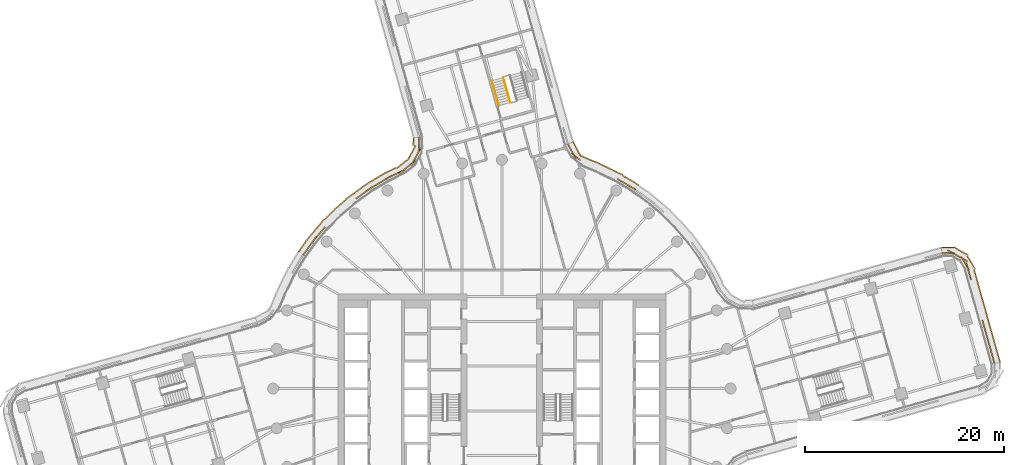
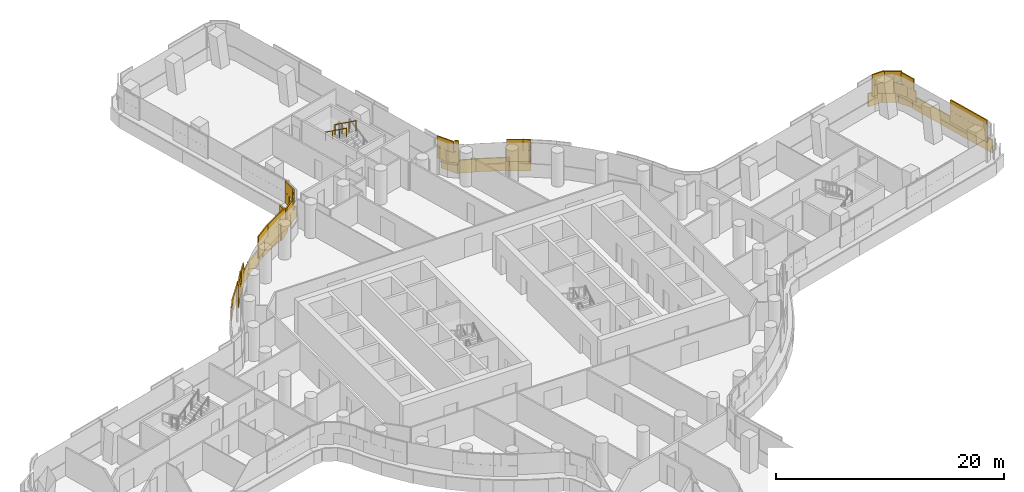
# One storey, part 29 of 30: 3 coverings, 2 railings.
"""IFC4 building model written with IfcOpenShell, lengths in metres."""

from ifc_helpers import new_model, si_unit, direction, frame, origin, origin_2d, place, context, subcontext, project, spatial, rectangle, circle, extrude, material, layer, layer_set, type_object, element, save


model = new_model("IFC4")

# Units and contexts
model_context = context("Model", 3, precision=1e-05, world=origin(), true_north=direction((0.0, 1.0)))
body_context = subcontext(model_context, "Body", "Model", "MODEL_VIEW")
ifc_project = project(units=[si_unit("LENGTHUNIT", "METRE"), si_unit("AREAUNIT", "SQUARE_METRE"), si_unit("VOLUMEUNIT", "CUBIC_METRE"), si_unit("PLANEANGLEUNIT", "RADIAN"), si_unit("MASSUNIT", "GRAM", prefix="KILO")], contexts=[model_context])

# Site, building, storey
site_placement = place(None, origin())
site = spatial("IfcSite", under=ifc_project, at=site_placement, CompositionType="ELEMENT")
building_placement = place(site_placement, origin())
building = spatial("IfcBuilding", under=site, at=building_placement, Name="Tamarind Cross Interchange Tower", CompositionType="ELEMENT")
storey_placement = place(building_placement, frame((0.0, 0.0, 91.0)))
storey = spatial("IfcBuildingStorey", under=building, at=storey_placement, Name="L21", CompositionType="ELEMENT", Elevation=91.0)

# Railings
ifc_material_1 = material(Name="Stair guard")
railing_type_1 = type_object("IfcRailingType", Name="Stair guard", PredefinedType="GUARDRAIL", material=ifc_material_1)
railing_1_placement = place(storey_placement, frame((0.147216796875, 31.284912109375, 2.04541015625)))
element("IfcRailing", 1, at=railing_1_placement, inside=storey, type_object=railing_type_1, Name="L21 ST4 stair guard 3", PredefinedType="GUARDRAIL", context=body_context, shape_type="SweptSolid", body=[
    extrude(circle(Radius=0.02392578125, at=origin_2d()), frame((0.0, 0.0, 1.076171875), z_axis=(0.225934267712, -0.805180412531, 0.548304851291), x_axis=(0.962813677155, 0.270166287835, 0.0)), (0.0, 0.0, 1.0), 3.10888671875),
    extrude(circle(Radius=0.02099609375, at=origin_2d()), origin(), (0.0, 0.0, 1.0), 1.052001953125),
    extrude(circle(Radius=0.02099609375, at=origin_2d()), frame((0.234130859375, -0.83447265625, 0.568115234375)), (0.0, 0.0, 1.0), 1.052001953125),
    extrude(circle(Radius=0.02099609375, at=origin_2d()), frame((0.46826171875, -1.668701171875, 1.136474609375)), (0.0, 0.0, 1.0), 1.052001953125),
    extrude(circle(Radius=0.02099609375, at=origin_2d()), frame((0.702392578125, -2.503173828125, 1.70458984375)), (0.0, 0.0, 1.0), 1.052001953125),
])
ifc_material_2 = material(Name="Stair handrail")
railing_type_2 = type_object("IfcRailingType", Name="Stair handrail", PredefinedType="HANDRAIL", material=ifc_material_2)
railing_2_placement = place(storey_placement, frame((-1.008056640625, 30.9609375, 2.04541015625)))
element("IfcRailing", 2, at=railing_2_placement, inside=storey, type_object=railing_type_2, Name="L21 ST4 stair handrail 2", PredefinedType="HANDRAIL", context=body_context, shape_type="SweptSolid", body=[
    extrude(circle(Radius=0.02392578125, at=origin_2d()), frame((0.0, 0.0, 0.8759765625), z_axis=(0.225919982143, -0.805208028118, 0.548270182594), x_axis=(0.962820530376, 0.270141863262, 0.0)), (0.0, 0.0, 1.0), 3.109130859375),
    extrude(circle(Radius=0.02099609375, at=origin_2d()), origin(), (0.0, 0.0, 1.0), 0.851806640625),
    extrude(circle(Radius=0.02099609375, at=origin_2d()), frame((0.234130859375, -0.83447265625, 0.568115234375)), (0.0, 0.0, 1.0), 0.851806640625),
    extrude(circle(Radius=0.02099609375, at=origin_2d()), frame((0.46826171875, -1.6689453125, 1.136474609375)), (0.0, 0.0, 1.0), 0.851806640625),
    extrude(circle(Radius=0.02099609375, at=origin_2d()), frame((0.702392578125, -2.50341796875, 1.70458984375)), (0.0, 0.0, 1.0), 0.851806640625),
])

# Coverings
ifc_material_3 = material(Name="Terracotta", Category="masonry")
ifc_layer = layer(ifc_material_3, 0.1201171875)
ifc_layer_set = layer_set([ifc_layer], Name="Terracotta")
covering_type = type_object("IfcCoveringType", Name="Terracotta baguette screen unit", PredefinedType="MOLDING", material=ifc_layer_set)
covering_1_placement = place(storey_placement, origin())
element("IfcCovering", 3, at=covering_1_placement, inside=storey, type_object=covering_type, Name="SCR-L21-04-00", PredefinedType="MOLDING", context=body_context, shape_type="SweptSolid", body=[
    extrude(rectangle(XDim=0.760009765625, YDim=0.1201171875, at=origin_2d()), frame((49.44482421875, 2.884033203125, 1.404052734375), z_axis=(0.0, 0.0, 1.0), x_axis=(-0.270129953744, 0.962823871791, 0.0)), (0.0, 0.0, 1.0), 1.1669921875),
    extrude(rectangle(XDim=1.52001953125, YDim=0.1201171875, at=origin_2d()), frame((49.140869140625, 3.96728515625, 1.404052734375), z_axis=(0.0, 0.0, 1.0), x_axis=(-0.270129953744, 0.962823871791, 0.0)), (0.0, 0.0, 1.0), 1.1669921875),
    extrude(rectangle(XDim=1.52001953125, YDim=0.1201171875, at=origin_2d()), frame((48.73583984375, 5.411376953125, 1.404052734375), z_axis=(0.0, 0.0, 1.0), x_axis=(-0.270129953744, 0.962823871791, 0.0)), (0.0, 0.0, 1.0), 1.1669921875),
    extrude(rectangle(XDim=0.784912109375, YDim=0.1201171875, at=origin_2d()), frame((48.428466796875, 6.506591796875, 1.404052734375), z_axis=(0.0, 0.0, 1.0), x_axis=(-0.270129953744, 0.962823871791, 0.0)), (0.0, 0.0, 1.0), 1.1669921875),
    extrude(rectangle(XDim=1.03515625, YDim=0.1201171875, at=origin_2d()), frame((47.05078125, 11.4169921875, 1.404052734375), z_axis=(0.0, 0.0, 1.0), x_axis=(-0.270129953744, 0.962823871791, 0.0)), (0.0, 0.0, 1.0), 1.1669921875),
    extrude(rectangle(XDim=1.52001953125, YDim=0.1201171875, at=origin_2d()), frame((46.595458984375, 12.583740234375, 1.404052734375), z_axis=(0.0, 0.0, 1.0), x_axis=(-0.510122653874, 0.860101667249, 0.0)), (0.0, 0.0, 1.0), 1.1669921875),
    extrude(rectangle(XDim=1.52001953125, YDim=0.1201171875, at=origin_2d()), frame((45.5029296875, 13.538818359375, 1.404052734375), z_axis=(0.0, 0.0, 1.0), x_axis=(-0.871830010925, 0.489808566738, 0.0)), (0.0, 0.0, 1.0), 1.1669921875),
    extrude(rectangle(XDim=0.509521484375, YDim=0.1201171875, at=origin_2d()), frame((44.526123046875, 13.616455078125, 1.404052734375), z_axis=(0.0, 0.0, 1.0), x_axis=(-0.999931220612, -0.011728343677, 0.0)), (0.0, 0.0, 1.0), 1.1669921875),
    extrude(rectangle(XDim=1.510009765625, YDim=0.1201171875, at=origin_2d()), frame((49.343505859375, 3.2451171875, 2.5791015625), z_axis=(0.0, 0.0, 1.0), x_axis=(-0.270129953744, 0.962823871791, 0.0)), (0.0, 0.0, 1.0), 1.1669921875),
    extrude(rectangle(XDim=1.52001953125, YDim=0.1201171875, at=origin_2d()), frame((48.9384765625, 4.689453125, 2.5791015625), z_axis=(0.0, 0.0, 1.0), x_axis=(-0.270129953744, 0.962823871791, 0.0)), (0.0, 0.0, 1.0), 1.1669921875),
    extrude(rectangle(XDim=1.52001953125, YDim=0.1201171875, at=origin_2d()), frame((48.533203125, 6.133544921875, 2.5791015625), z_axis=(0.0, 0.0, 1.0), x_axis=(-0.270129953744, 0.962823871791, 0.0)), (0.0, 0.0, 1.0), 1.1669921875),
    extrude(rectangle(XDim=1.52001953125, YDim=0.1201171875, at=origin_2d()), frame((46.912353515625, 11.91064453125, 2.5791015625), z_axis=(0.0, 0.0, 1.0), x_axis=(-0.270129953744, 0.962823871791, 0.0)), (0.0, 0.0, 1.0), 1.1669921875),
    extrude(rectangle(XDim=1.52001953125, YDim=0.1201171875, at=origin_2d()), frame((46.15673828125, 13.17138671875, 2.5791015625), z_axis=(0.0, 0.0, 1.0), x_axis=(-0.871830010925, 0.489808566738, 0.0)), (0.0, 0.0, 1.0), 1.1669921875),
    extrude(rectangle(XDim=1.259521484375, YDim=0.1201171875, at=origin_2d()), frame((44.901123046875, 13.620849609375, 2.5791015625), z_axis=(0.0, 0.0, 1.0), x_axis=(-0.999931220612, -0.011728343677, 0.0)), (0.0, 0.0, 1.0), 1.1669921875),
    extrude(rectangle(XDim=0.760009765625, YDim=0.1201171875, at=origin_2d()), frame((50.0166015625, 2.97119140625, 0.00390625), z_axis=(0.0, 0.0, 1.0), x_axis=(-0.270129953744, 0.962823871791, 0.0)), (0.0, 0.0, 1.0), 1.39208984375),
    extrude(rectangle(XDim=1.52001953125, YDim=0.1201171875, at=origin_2d()), frame((49.714111328125, 4.049560546875, 0.00390625), z_axis=(0.0, 0.0, 1.0), x_axis=(-0.270129953744, 0.962823871791, 0.0)), (0.0, 0.0, 1.0), 1.39208984375),
    extrude(rectangle(XDim=1.52001953125, YDim=0.1201171875, at=origin_2d()), frame((49.308837890625, 5.49365234375, 0.00390625), z_axis=(0.0, 0.0, 1.0), x_axis=(-0.270129953744, 0.962823871791, 0.0)), (0.0, 0.0, 1.0), 1.39208984375),
    extrude(rectangle(XDim=1.52001953125, YDim=0.1201171875, at=origin_2d()), frame((48.903564453125, 6.93798828125, 0.00390625), z_axis=(0.0, 0.0, 1.0), x_axis=(-0.270129953744, 0.962823871791, 0.0)), (0.0, 0.0, 1.0), 1.39208984375),
    extrude(rectangle(XDim=1.52001953125, YDim=0.1201171875, at=origin_2d()), frame((48.49853515625, 8.38232421875, 0.00390625), z_axis=(0.0, 0.0, 1.0), x_axis=(-0.270129953744, 0.962823871791, 0.0)), (0.0, 0.0, 1.0), 1.39208984375),
    extrude(rectangle(XDim=1.52001953125, YDim=0.1201171875, at=origin_2d()), frame((48.09326171875, 9.826416015625, 0.00390625), z_axis=(0.0, 0.0, 1.0), x_axis=(-0.270129953744, 0.962823871791, 0.0)), (0.0, 0.0, 1.0), 1.39208984375),
    extrude(rectangle(XDim=1.52001953125, YDim=0.1201171875, at=origin_2d()), frame((47.68798828125, 11.270751953125, 0.00390625), z_axis=(0.0, 0.0, 1.0), x_axis=(-0.270129953744, 0.962823871791, 0.0)), (0.0, 0.0, 1.0), 1.39208984375),
    extrude(rectangle(XDim=1.52001953125, YDim=0.1201171875, at=origin_2d()), frame((47.204833984375, 12.681640625, 0.00390625), z_axis=(0.0, 0.0, 1.0), x_axis=(-0.510122653874, 0.860101667249, 0.0)), (0.0, 0.0, 1.0), 1.39208984375),
    extrude(rectangle(XDim=1.52001953125, YDim=0.1201171875, at=origin_2d()), frame((46.25, 13.77734375, 0.00390625), z_axis=(0.0, 0.0, 1.0), x_axis=(-0.871830010925, 0.489808566738, 0.0)), (0.0, 0.0, 1.0), 1.39208984375),
    extrude(rectangle(XDim=1.4267578125, YDim=0.1201171875, at=origin_2d()), frame((44.90771484375, 14.195068359375, 0.00390625), z_axis=(0.0, 0.0, 1.0), x_axis=(-0.999931220612, -0.011728343677, 0.0)), (0.0, 0.0, 1.0), 1.39208984375),
])
covering_2_placement = place(storey_placement, origin())
element("IfcCovering", 4, at=covering_2_placement, inside=storey, type_object=covering_type, Name="SCR-L21-06-01", PredefinedType="MOLDING", context=body_context, shape_type="SweptSolid", body=[
    extrude(rectangle(XDim=1.451416015625, YDim=0.1201171875, at=origin_2d()), frame((12.820068359375, 20.3779296875, 1.404052734375), z_axis=(0.0, 0.0, 1.0), x_axis=(-0.861248933065, 0.508183308752, 0.0)), (0.0, 0.0, 1.0), 1.1669921875),
    extrude(rectangle(XDim=0.674560546875, YDim=0.1201171875, at=origin_2d()), frame((11.9130859375, 20.9130859375, 1.404052734375), z_axis=(0.0, 0.0, 1.0), x_axis=(-0.861248933065, 0.508183308752, 0.0)), (0.0, 0.0, 1.0), 1.1669921875),
    extrude(rectangle(XDim=1.145263671875, YDim=0.1201171875, at=origin_2d()), frame((7.447998046875, 23.3193359375, 1.404052734375), z_axis=(0.0, 0.0, 1.0), x_axis=(-0.781408714054, 0.624019568283, 0.0)), (0.0, 0.0, 1.0), 1.1669921875),
    extrude(rectangle(XDim=0.980712890625, YDim=0.1201171875, at=origin_2d()), frame((6.860107421875, 24.17041015625, 1.404052734375), z_axis=(0.0, 0.0, 1.0), x_axis=(-0.465062141206, 0.885278038142, 0.0)), (0.0, 0.0, 1.0), 1.1669921875),
    extrude(rectangle(XDim=0.701416015625, YDim=0.1201171875, at=origin_2d()), frame((13.14013671875, 20.182861328125, 2.5791015625), z_axis=(0.0, 0.0, 1.0), x_axis=(-0.816341886298, 0.577568978284, 0.0)), (0.0, 0.0, 1.0), 1.1669921875),
    extrude(rectangle(XDim=1.424560546875, YDim=0.1201171875, at=origin_2d()), frame((12.236083984375, 20.722412109375, 2.5791015625), z_axis=(0.0, 0.0, 1.0), x_axis=(-0.861248933065, 0.508183308752, 0.0)), (0.0, 0.0, 1.0), 1.1669921875),
    extrude(rectangle(XDim=0.395263671875, YDim=0.1201171875, at=origin_2d()), frame((7.740966796875, 23.085205078125, 2.5791015625), z_axis=(0.0, 0.0, 1.0), x_axis=(-0.781408714054, 0.624019568283, 0.0)), (0.0, 0.0, 1.0), 1.1669921875),
    extrude(rectangle(XDim=1.52001953125, YDim=0.1201171875, at=origin_2d()), frame((7.085693359375, 23.74072265625, 2.5791015625), z_axis=(0.0, 0.0, 1.0), x_axis=(-0.465062141206, 0.885278038142, 0.0)), (0.0, 0.0, 1.0), 1.1669921875),
    extrude(rectangle(XDim=0.230712890625, YDim=0.1201171875, at=origin_2d()), frame((6.685546875, 24.50244140625, 2.5791015625), z_axis=(0.0, 0.0, 1.0), x_axis=(-0.465062141206, 0.885278038142, 0.0)), (0.0, 0.0, 1.0), 1.1669921875),
    extrude(rectangle(XDim=0.369873046875, YDim=0.1201171875, at=origin_2d()), frame((13.59130859375, 20.566650390625, 0.00390625), z_axis=(0.0, 0.0, 1.0), x_axis=(-0.816341886298, 0.577568978284, 0.0)), (0.0, 0.0, 1.0), 1.39208984375),
    extrude(rectangle(XDim=1.52001953125, YDim=0.1201171875, at=origin_2d()), frame((12.805419921875, 21.05322265625, 0.00390625), z_axis=(0.0, 0.0, 1.0), x_axis=(-0.861248933065, 0.508183308752, 0.0)), (0.0, 0.0, 1.0), 1.39208984375),
    extrude(rectangle(XDim=1.52001953125, YDim=0.1201171875, at=origin_2d()), frame((11.507568359375, 21.804443359375, 0.00390625), z_axis=(0.0, 0.0, 1.0), x_axis=(-0.900272776334, 0.435326231914, 0.0)), (0.0, 0.0, 1.0), 1.39208984375),
    extrude(rectangle(XDim=1.52001953125, YDim=0.1201171875, at=origin_2d()), frame((10.1572265625, 22.457275390625, 0.00390625), z_axis=(0.0, 0.0, 1.0), x_axis=(-0.900272776334, 0.435326231914, 0.0)), (0.0, 0.0, 1.0), 1.39208984375),
    extrude(rectangle(XDim=1.52001953125, YDim=0.1201171875, at=origin_2d()), frame((8.77978515625, 23.050048828125, 0.00390625), z_axis=(0.0, 0.0, 1.0), x_axis=(-0.924337914737, 0.381574919747, 0.0)), (0.0, 0.0, 1.0), 1.39208984375),
    extrude(rectangle(XDim=1.52001953125, YDim=0.1201171875, at=origin_2d()), frame((7.613525390625, 23.97021484375, 0.00390625), z_axis=(0.0, 0.0, 1.0), x_axis=(-0.465062141206, 0.885278038142, 0.0)), (0.0, 0.0, 1.0), 1.39208984375),
    extrude(rectangle(XDim=0.21240234375, YDim=0.1201171875, at=origin_2d()), frame((7.219970703125, 24.71923828125, 0.00390625), z_axis=(0.0, 0.0, 1.0), x_axis=(-0.465062141206, 0.885278038142, 0.0)), (0.0, 0.0, 1.0), 1.39208984375),
])
covering_3_placement = place(storey_placement, origin())
element("IfcCovering", 5, at=covering_3_placement, inside=storey, type_object=covering_type, Name="SCR-L21-10-00", PredefinedType="MOLDING", context=body_context, shape_type="SweptSolid", body=[
    extrude(rectangle(XDim=0.760009765625, YDim=0.1201171875, at=origin_2d()), frame((-8.322509765625, 24.90576171875, 1.404052734375), z_axis=(0.0, 0.0, 1.0), x_axis=(-0.028695501065, -0.999588199319, 0.0)), (0.0, 0.0, 1.0), 1.1669921875),
    extrude(rectangle(XDim=1.52001953125, YDim=0.1201171875, at=origin_2d()), frame((-8.3828125, 23.788818359375, 1.404052734375), z_axis=(0.0, 0.0, 1.0), x_axis=(-0.477648952184, -0.878550783095, 0.0)), (0.0, 0.0, 1.0), 1.1669921875),
    extrude(rectangle(XDim=1.52001953125, YDim=0.1201171875, at=origin_2d()), frame((-9.175048828125, 22.53515625, 1.404052734375), z_axis=(0.0, 0.0, 1.0), x_axis=(-0.786825557048, -0.617175455423, 0.0)), (0.0, 0.0, 1.0), 1.1669921875),
    extrude(rectangle(XDim=1.52001953125, YDim=0.1201171875, at=origin_2d()), frame((-10.411865234375, 21.698974609375, 1.404052734375), z_axis=(0.0, 0.0, 1.0), x_axis=(-0.896294206941, -0.443459913186, 0.0)), (0.0, 0.0, 1.0), 1.1669921875),
    extrude(rectangle(XDim=1.52001953125, YDim=0.1201171875, at=origin_2d()), frame((-11.747314453125, 21.017578125, 1.404052734375), z_axis=(0.0, 0.0, 1.0), x_axis=(-0.856843065292, -0.515577308909, 0.0)), (0.0, 0.0, 1.0), 1.1669921875),
    extrude(rectangle(XDim=1.52001953125, YDim=0.1201171875, at=origin_2d()), frame((-13.03271484375, 20.244140625, 1.404052734375), z_axis=(0.0, 0.0, 1.0), x_axis=(-0.856843065292, -0.515577308909, 0.0)), (0.0, 0.0, 1.0), 1.1669921875),
    extrude(rectangle(XDim=1.26220703125, YDim=0.1201171875, at=origin_2d()), frame((-14.1611328125, 19.4580078125, 1.404052734375), z_axis=(0.0, 0.0, 1.0), x_axis=(-0.811340475102, -0.584573890505, 0.0)), (0.0, 0.0, 1.0), 1.1669921875),
    extrude(rectangle(XDim=0.5576171875, YDim=0.1201171875, at=origin_2d()), frame((-17.94384765625, 16.05419921875, 1.404052734375), z_axis=(0.0, 0.0, 1.0), x_axis=(-0.643009266048, -0.765858396687, 0.0)), (0.0, 0.0, 1.0), 1.1669921875),
    extrude(rectangle(XDim=1.52001953125, YDim=0.1201171875, at=origin_2d()), frame((-18.60205078125, 15.27001953125, 1.404052734375), z_axis=(0.0, 0.0, 1.0), x_axis=(-0.643009266048, -0.765858396687, 0.0)), (0.0, 0.0, 1.0), 1.1669921875),
    extrude(rectangle(XDim=1.52001953125, YDim=0.1201171875, at=origin_2d()), frame((-19.51611328125, 14.08251953125, 1.404052734375), z_axis=(0.0, 0.0, 1.0), x_axis=(-0.577568978284, -0.816341886298, 0.0)), (0.0, 0.0, 1.0), 1.1669921875),
    extrude(rectangle(XDim=0.068603515625, YDim=0.1201171875, at=origin_2d()), frame((-19.96630859375, 13.4462890625, 1.404052734375), z_axis=(0.0, 0.0, 1.0), x_axis=(-0.577568978284, -0.816341886298, 0.0)), (0.0, 0.0, 1.0), 1.1669921875),
    extrude(rectangle(XDim=1.510009765625, YDim=0.1201171875, at=origin_2d()), frame((-8.333251953125, 24.531005859375, 2.5791015625), z_axis=(0.0, 0.0, 1.0), x_axis=(-0.028695501065, -0.999588199319, 0.0)), (0.0, 0.0, 1.0), 1.1669921875),
    extrude(rectangle(XDim=1.52001953125, YDim=0.1201171875, at=origin_2d()), frame((-8.740966796875, 23.1298828125, 2.5791015625), z_axis=(0.0, 0.0, 1.0), x_axis=(-0.477648952184, -0.878550783095, 0.0)), (0.0, 0.0, 1.0), 1.1669921875),
    extrude(rectangle(XDim=1.52001953125, YDim=0.1201171875, at=origin_2d()), frame((-9.76513671875, 22.072265625, 2.5791015625), z_axis=(0.0, 0.0, 1.0), x_axis=(-0.786825557048, -0.617175455423, 0.0)), (0.0, 0.0, 1.0), 1.1669921875),
    extrude(rectangle(XDim=1.52001953125, YDim=0.1201171875, at=origin_2d()), frame((-11.083984375, 21.366455078125, 2.5791015625), z_axis=(0.0, 0.0, 1.0), x_axis=(-0.896294206941, -0.443459913186, 0.0)), (0.0, 0.0, 1.0), 1.1669921875),
    extrude(rectangle(XDim=1.52001953125, YDim=0.1201171875, at=origin_2d()), frame((-12.389892578125, 20.630859375, 2.5791015625), z_axis=(0.0, 0.0, 1.0), x_axis=(-0.856843065292, -0.515577308909, 0.0)), (0.0, 0.0, 1.0), 1.1669921875),
    extrude(rectangle(XDim=1.52001953125, YDim=0.1201171875, at=origin_2d()), frame((-13.6533203125, 19.82421875, 2.5791015625), z_axis=(0.0, 0.0, 1.0), x_axis=(-0.811340475102, -0.584573890505, 0.0)), (0.0, 0.0, 1.0), 1.1669921875),
    extrude(rectangle(XDim=0.51220703125, YDim=0.1201171875, at=origin_2d()), frame((-14.465576171875, 19.239013671875, 2.5791015625), z_axis=(0.0, 0.0, 1.0), x_axis=(-0.811340475102, -0.584573890505, 0.0)), (0.0, 0.0, 1.0), 1.1669921875),
    extrude(rectangle(XDim=1.3076171875, YDim=0.1201171875, at=origin_2d()), frame((-18.18505859375, 15.76708984375, 2.5791015625), z_axis=(0.0, 0.0, 1.0), x_axis=(-0.643009266048, -0.765858396687, 0.0)), (0.0, 0.0, 1.0), 1.1669921875),
    extrude(rectangle(XDim=1.52001953125, YDim=0.1201171875, at=origin_2d()), frame((-19.0830078125, 14.694580078125, 2.5791015625), z_axis=(0.0, 0.0, 1.0), x_axis=(-0.577568978284, -0.816341886298, 0.0)), (0.0, 0.0, 1.0), 1.1669921875),
    extrude(rectangle(XDim=0.818603515625, YDim=0.1201171875, at=origin_2d()), frame((-19.749755859375, 13.75244140625, 2.5791015625), z_axis=(0.0, 0.0, 1.0), x_axis=(-0.577568978284, -0.816341886298, 0.0)), (0.0, 0.0, 1.0), 1.1669921875),
    extrude(rectangle(XDim=0.760009765625, YDim=0.1201171875, at=origin_2d()), frame((-8.89892578125, 24.830322265625, 0.00390625), z_axis=(0.0, 0.0, 1.0), x_axis=(-0.028695501065, -0.999588199319, 0.0)), (0.0, 0.0, 1.0), 1.39208984375),
    extrude(rectangle(XDim=1.52001953125, YDim=0.1201171875, at=origin_2d()), frame((-9.0595703125, 23.74560546875, 0.00390625), z_axis=(0.0, 0.0, 1.0), x_axis=(-0.477648952184, -0.878550783095, 0.0)), (0.0, 0.0, 1.0), 1.39208984375),
    extrude(rectangle(XDim=1.52001953125, YDim=0.1201171875, at=origin_2d()), frame((-10.00048828125, 22.6171875, 0.00390625), z_axis=(0.0, 0.0, 1.0), x_axis=(-0.786825557048, -0.617175455423, 0.0)), (0.0, 0.0, 1.0), 1.39208984375),
    extrude(rectangle(XDim=1.52001953125, YDim=0.1201171875, at=origin_2d()), frame((-11.30908203125, 21.8955078125, 0.00390625), z_axis=(0.0, 0.0, 1.0), x_axis=(-0.896294206941, -0.443459913186, 0.0)), (0.0, 0.0, 1.0), 1.39208984375),
    extrude(rectangle(XDim=1.52001953125, YDim=0.1201171875, at=origin_2d()), frame((-12.617431640625, 21.1640625, 0.00390625), z_axis=(0.0, 0.0, 1.0), x_axis=(-0.856843065292, -0.515577308909, 0.0)), (0.0, 0.0, 1.0), 1.39208984375),
    extrude(rectangle(XDim=1.52001953125, YDim=0.1201171875, at=origin_2d()), frame((-13.88525390625, 20.364501953125, 0.00390625), z_axis=(0.0, 0.0, 1.0), x_axis=(-0.811340475102, -0.584573890505, 0.0)), (0.0, 0.0, 1.0), 1.39208984375),
    extrude(rectangle(XDim=1.52001953125, YDim=0.1201171875, at=origin_2d()), frame((-15.102294921875, 19.487548828125, 0.00390625), z_axis=(0.0, 0.0, 1.0), x_axis=(-0.811340475102, -0.584573890505, 0.0)), (0.0, 0.0, 1.0), 1.39208984375),
    extrude(rectangle(XDim=1.52001953125, YDim=0.1201171875, at=origin_2d()), frame((-16.250732421875, 18.5234375, 0.00390625), z_axis=(0.0, 0.0, 1.0), x_axis=(-0.760295606781, -0.64957723968, 0.0)), (0.0, 0.0, 1.0), 1.39208984375),
    extrude(rectangle(XDim=1.52001953125, YDim=0.1201171875, at=origin_2d()), frame((-17.345947265625, 17.50048828125, 0.00390625), z_axis=(0.0, 0.0, 1.0), x_axis=(-0.704057148523, -0.710143317658, 0.0)), (0.0, 0.0, 1.0), 1.39208984375),
    extrude(rectangle(XDim=1.52001953125, YDim=0.1201171875, at=origin_2d()), frame((-18.385986328125, 16.42041015625, 0.00390625), z_axis=(0.0, 0.0, 1.0), x_axis=(-0.643009266048, -0.765858396687, 0.0)), (0.0, 0.0, 1.0), 1.39208984375),
    extrude(rectangle(XDim=1.52001953125, YDim=0.1201171875, at=origin_2d()), frame((-19.350341796875, 15.271484375, 0.00390625), z_axis=(0.0, 0.0, 1.0), x_axis=(-0.643009266048, -0.765858396687, 0.0)), (0.0, 0.0, 1.0), 1.39208984375),
    extrude(rectangle(XDim=1.14990234375, YDim=0.1201171875, at=origin_2d()), frame((-20.127685546875, 14.2119140625, 0.00390625), z_axis=(0.0, 0.0, 1.0), x_axis=(-0.577568978284, -0.816341886298, 0.0)), (0.0, 0.0, 1.0), 1.39208984375),
])

save(model, "model.ifc")
